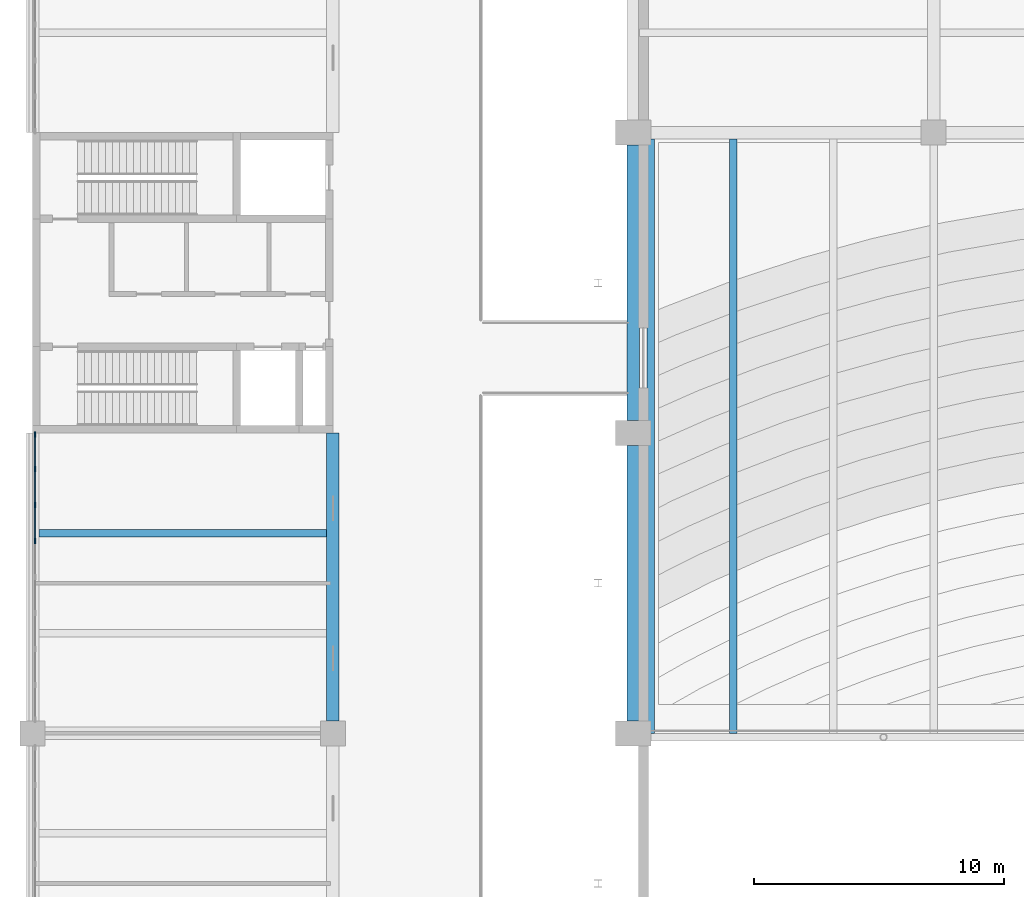
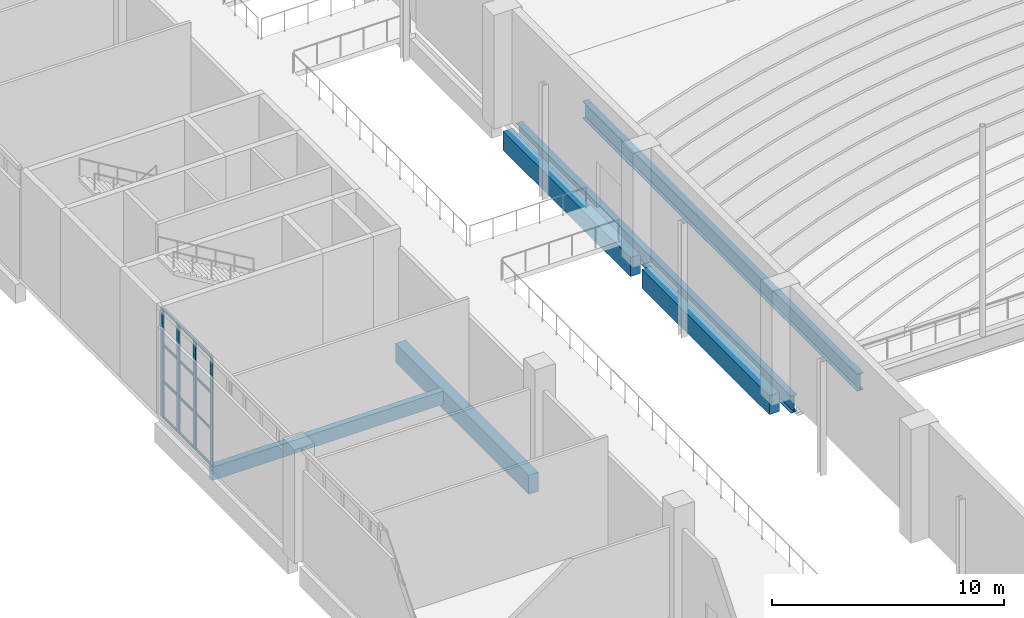
# One storey, part 20 of 72: 16 members, 6 beams, 1 element without a shape of its own.
"""IFC4 building model written with IfcOpenShell, lengths in metres."""

from ifc_helpers import new_model, si_unit, direction, frame, origin, origin_2d, place, context, subcontext, project, spatial, rectangle, i_section, extrude, material, layer, layer_set, material_profile, profile_set, type_object, element, aggregate, save


model = new_model("IFC4")

# Units and contexts
model_context = context("Model", 3, precision=1e-05, world=origin(), true_north=direction((0.0, 1.0)))
body_context = subcontext(model_context, "Body", "Model", "MODEL_VIEW")
ifc_project = project(units=[si_unit("LENGTHUNIT", "METRE"), si_unit("AREAUNIT", "SQUARE_METRE"), si_unit("VOLUMEUNIT", "CUBIC_METRE"), si_unit("PLANEANGLEUNIT", "RADIAN"), si_unit("MASSUNIT", "GRAM", prefix="KILO")], contexts=[model_context])

# Site, building, storey
site_placement = place(None, origin())
site = spatial("IfcSite", under=ifc_project, at=site_placement, CompositionType="ELEMENT")
building_placement = place(site_placement, origin())
building = spatial("IfcBuilding", under=site, at=building_placement, Name="Lilac Gate Convention Centre", CompositionType="ELEMENT")
storey_placement = place(building_placement, frame((0.0, 0.0, 6.0)))
storey = spatial("IfcBuildingStorey", under=building, at=storey_placement, Name="L01", CompositionType="ELEMENT", Elevation=6.0)

# Beams
ifc_material_1 = material(Name="Steel Q355B", Category="steel")
ifc_material_profile_1 = material_profile(ifc_material_1, i_section(OverallWidth=0.300048828125, OverallDepth=0.89990234375, WebThickness=0.01611328125, FlangeThickness=0.028076171875, FilletRadius=0.01806640625, at=origin_2d()), Name="HN900x300x16x28")
ifc_profile_set_1 = profile_set([ifc_material_profile_1], Name="Steel Q355B")
beam_type_1 = type_object("IfcBeamType", Name="Balcony beam HN900x300x16x28", PredefinedType="BEAM", material=ifc_profile_set_1)
for number, where, z_axis, x_axis, name in (
    (1, (30.699951171875, 138.0, -0.699951171875), (0.0, 1.0, 0.0), (-1.0, 0.0, 0.0), "BB1 L01 balcony beam 1"),
    (2, (34.0, 138.0, -0.699951171875), (0.0, 1.0, 0.0), (-1.0, 0.0, 0.0), "BB1 L01 balcony beam 2"),
):
    element("IfcBeam", number, at=place(storey_placement, frame(where, z_axis=z_axis, x_axis=x_axis)), inside=storey, type_object=beam_type_1, Name=name, PredefinedType="BEAM", context=body_context, shape_type="SweptSolid", body=[
        extrude(i_section(OverallWidth=0.300048828125, OverallDepth=0.89990234375, WebThickness=0.01611328125, FlangeThickness=0.028076171875, FilletRadius=0.01806640625, at=origin_2d()), origin(), (0.0, 0.0, 1.0), 23.75),
    ])

# Curtain wall, members
ifc_material_2 = material(Name="Aluminium framed double glazing", Category="aluminium")
ifc_layer = layer(ifc_material_2, 0.199951171875)
ifc_layer_set = layer_set([ifc_layer], Name="Aluminium framed double glazing")
curtain_wall_type = type_object("IfcCurtainWallType", Name="Unitised curtain wall 1500", PredefinedType="NOTDEFINED", material=ifc_layer_set)
curtain_wall_placement = place(storey_placement, origin())
curtain_wall = element("IfcCurtainWall", 3, at=curtain_wall_placement, inside=storey, type_object=curtain_wall_type, Name="Curtain wall PW L01 5", PredefinedType="NOTDEFINED")
ifc_material_3 = material(Name="Aluminium alloy 6063", Category="aluminium")
ifc_material_profile_2 = material_profile(ifc_material_3, rectangle(XDim=0.06005859375, YDim=0.219970703125, at=origin_2d()), Name="Curtain wall mullion 60 x 220")
ifc_profile_set_2 = profile_set([ifc_material_profile_2], Name="Aluminium alloy 6063")
member_type_1 = type_object("IfcMemberType", Name="Curtain wall mullion 60 x 220", PredefinedType="MULLION", material=ifc_profile_set_2)
member_1_placement = place(storey_placement, frame((6.10009765625, 149.93994140625, 0.0), z_axis=(0.0, 0.0, 1.0), x_axis=(1.0, 0.0, 0.0)))
member_1 = element("IfcMember", 4, at=member_1_placement, type_object=member_type_1, Name="CW mullion 1", PredefinedType="MULLION", context=body_context, shape_type="SweptSolid", body=[
    extrude(rectangle(XDim=0.06005859375, YDim=0.219970703125, at=origin_2d()), origin(), (0.0, 0.0, 1.0), 5.75),
])
member_2_placement = place(storey_placement, frame((6.10009765625, 148.5625, 0.0), z_axis=(0.0, 0.0, 1.0), x_axis=(1.0, 0.0, 0.0)))
member_2 = element("IfcMember", 5, at=member_2_placement, type_object=member_type_1, Name="CW mullion 2", PredefinedType="MULLION", context=body_context, shape_type="SweptSolid", body=[
    extrude(rectangle(XDim=0.06005859375, YDim=0.219970703125, at=origin_2d()), origin(), (0.0, 0.0, 1.0), 5.75),
])
member_3_placement = place(storey_placement, frame((6.10009765625, 147.125, 0.0), z_axis=(0.0, 0.0, 1.0), x_axis=(1.0, 0.0, 0.0)))
member_3 = element("IfcMember", 6, at=member_3_placement, type_object=member_type_1, Name="CW mullion 3", PredefinedType="MULLION", context=body_context, shape_type="SweptSolid", body=[
    extrude(rectangle(XDim=0.06005859375, YDim=0.219970703125, at=origin_2d()), origin(), (0.0, 0.0, 1.0), 5.75),
])
member_4_placement = place(storey_placement, frame((6.10009765625, 145.6875, 0.0), z_axis=(0.0, 0.0, 1.0), x_axis=(1.0, 0.0, 0.0)))
member_4 = element("IfcMember", 7, at=member_4_placement, type_object=member_type_1, Name="CW mullion 4", PredefinedType="MULLION", context=body_context, shape_type="SweptSolid", body=[
    extrude(rectangle(XDim=0.06005859375, YDim=0.219970703125, at=origin_2d()), origin(), (0.0, 0.0, 1.0), 5.75),
])
ifc_material_profile_3 = material_profile(ifc_material_3, rectangle(XDim=0.06005859375, YDim=0.1201171875, at=origin_2d()), Name="Curtain wall transom 60 x 120")
ifc_profile_set_3 = profile_set([ifc_material_profile_3], Name="Aluminium alloy 6063")
member_type_2 = type_object("IfcMemberType", Name="Curtain wall transom 60 x 120", PredefinedType="USERDEFINED", material=ifc_profile_set_3)
member_5_placement = place(storey_placement, frame((6.10009765625, 149.93994140625, 0.030029296875), z_axis=(0.0, -1.0, 0.0), x_axis=(1.0, 0.0, 0.0)))
member_5 = element("IfcMember", 8, at=member_5_placement, type_object=member_type_2, Name="CW transom 1.1", ObjectType="TRANSOM", PredefinedType="USERDEFINED", context=body_context, shape_type="SweptSolid", body=[
    extrude(rectangle(XDim=0.06005859375, YDim=0.1201171875, at=origin_2d()), origin(), (0.0, 0.0, 1.0), 1.347412109375),
])
member_6_placement = place(storey_placement, frame((6.10009765625, 149.93994140625, 1.916748046875), z_axis=(0.0, -1.0, 0.0), x_axis=(1.0, 0.0, 0.0)))
member_6 = element("IfcMember", 9, at=member_6_placement, type_object=member_type_2, Name="CW transom 1.2", ObjectType="TRANSOM", PredefinedType="USERDEFINED", context=body_context, shape_type="SweptSolid", body=[
    extrude(rectangle(XDim=0.06005859375, YDim=0.1201171875, at=origin_2d()), origin(), (0.0, 0.0, 1.0), 1.347412109375),
])
member_7_placement = place(storey_placement, frame((6.10009765625, 149.93994140625, 3.833251953125), z_axis=(0.0, -1.0, 0.0), x_axis=(1.0, 0.0, 0.0)))
member_7 = element("IfcMember", 10, at=member_7_placement, type_object=member_type_2, Name="CW transom 1.3", ObjectType="TRANSOM", PredefinedType="USERDEFINED", context=body_context, shape_type="SweptSolid", body=[
    extrude(rectangle(XDim=0.06005859375, YDim=0.1201171875, at=origin_2d()), origin(), (0.0, 0.0, 1.0), 1.347412109375),
])
member_8_placement = place(storey_placement, frame((6.10009765625, 149.93994140625, 5.719970703125), z_axis=(0.0, -1.0, 0.0), x_axis=(1.0, 0.0, 0.0)))
member_8 = element("IfcMember", 11, at=member_8_placement, type_object=member_type_2, Name="CW transom 1.4", ObjectType="TRANSOM", PredefinedType="USERDEFINED", context=body_context, shape_type="SweptSolid", body=[
    extrude(rectangle(XDim=0.06005859375, YDim=0.1201171875, at=origin_2d()), origin(), (0.0, 0.0, 1.0), 1.347412109375),
])
member_9_placement = place(storey_placement, frame((6.10009765625, 148.532470703125, 0.030029296875), z_axis=(0.0, -1.0, 0.0), x_axis=(1.0, 0.0, 0.0)))
member_9 = element("IfcMember", 12, at=member_9_placement, type_object=member_type_2, Name="CW transom 2.1", ObjectType="TRANSOM", PredefinedType="USERDEFINED", context=body_context, shape_type="SweptSolid", body=[
    extrude(rectangle(XDim=0.06005859375, YDim=0.1201171875, at=origin_2d()), origin(), (0.0, 0.0, 1.0), 1.37744140625),
])
member_10_placement = place(storey_placement, frame((6.10009765625, 148.532470703125, 1.916748046875), z_axis=(0.0, -1.0, 0.0), x_axis=(1.0, 0.0, 0.0)))
member_10 = element("IfcMember", 13, at=member_10_placement, type_object=member_type_2, Name="CW transom 2.2", ObjectType="TRANSOM", PredefinedType="USERDEFINED", context=body_context, shape_type="SweptSolid", body=[
    extrude(rectangle(XDim=0.06005859375, YDim=0.1201171875, at=origin_2d()), origin(), (0.0, 0.0, 1.0), 1.37744140625),
])
member_11_placement = place(storey_placement, frame((6.10009765625, 148.532470703125, 3.833251953125), z_axis=(0.0, -1.0, 0.0), x_axis=(1.0, 0.0, 0.0)))
member_11 = element("IfcMember", 14, at=member_11_placement, type_object=member_type_2, Name="CW transom 2.3", ObjectType="TRANSOM", PredefinedType="USERDEFINED", context=body_context, shape_type="SweptSolid", body=[
    extrude(rectangle(XDim=0.06005859375, YDim=0.1201171875, at=origin_2d()), origin(), (0.0, 0.0, 1.0), 1.37744140625),
])
member_12_placement = place(storey_placement, frame((6.10009765625, 148.532470703125, 5.719970703125), z_axis=(0.0, -1.0, 0.0), x_axis=(1.0, 0.0, 0.0)))
member_12 = element("IfcMember", 15, at=member_12_placement, type_object=member_type_2, Name="CW transom 2.4", ObjectType="TRANSOM", PredefinedType="USERDEFINED", context=body_context, shape_type="SweptSolid", body=[
    extrude(rectangle(XDim=0.06005859375, YDim=0.1201171875, at=origin_2d()), origin(), (0.0, 0.0, 1.0), 1.37744140625),
])
member_13_placement = place(storey_placement, frame((6.10009765625, 147.094970703125, 0.030029296875), z_axis=(0.0, -1.0, 0.0), x_axis=(1.0, 0.0, 0.0)))
member_13 = element("IfcMember", 16, at=member_13_placement, type_object=member_type_2, Name="CW transom 3.1", ObjectType="TRANSOM", PredefinedType="USERDEFINED", context=body_context, shape_type="SweptSolid", body=[
    extrude(rectangle(XDim=0.06005859375, YDim=0.1201171875, at=origin_2d()), origin(), (0.0, 0.0, 1.0), 1.37744140625),
])
member_14_placement = place(storey_placement, frame((6.10009765625, 147.094970703125, 1.916748046875), z_axis=(0.0, -1.0, 0.0), x_axis=(1.0, 0.0, 0.0)))
member_14 = element("IfcMember", 17, at=member_14_placement, type_object=member_type_2, Name="CW transom 3.2", ObjectType="TRANSOM", PredefinedType="USERDEFINED", context=body_context, shape_type="SweptSolid", body=[
    extrude(rectangle(XDim=0.06005859375, YDim=0.1201171875, at=origin_2d()), origin(), (0.0, 0.0, 1.0), 1.37744140625),
])
member_15_placement = place(storey_placement, frame((6.10009765625, 147.094970703125, 3.833251953125), z_axis=(0.0, -1.0, 0.0), x_axis=(1.0, 0.0, 0.0)))
member_15 = element("IfcMember", 18, at=member_15_placement, type_object=member_type_2, Name="CW transom 3.3", ObjectType="TRANSOM", PredefinedType="USERDEFINED", context=body_context, shape_type="SweptSolid", body=[
    extrude(rectangle(XDim=0.06005859375, YDim=0.1201171875, at=origin_2d()), origin(), (0.0, 0.0, 1.0), 1.37744140625),
])
member_16_placement = place(storey_placement, frame((6.10009765625, 147.094970703125, 5.719970703125), z_axis=(0.0, -1.0, 0.0), x_axis=(1.0, 0.0, 0.0)))
member_16 = element("IfcMember", 19, at=member_16_placement, type_object=member_type_2, Name="CW transom 3.4", ObjectType="TRANSOM", PredefinedType="USERDEFINED", context=body_context, shape_type="SweptSolid", body=[
    extrude(rectangle(XDim=0.06005859375, YDim=0.1201171875, at=origin_2d()), origin(), (0.0, 0.0, 1.0), 1.37744140625),
])
aggregate(curtain_wall, [member_1, member_2, member_3, member_4, member_5, member_6, member_7, member_8, member_9, member_10, member_11, member_12, member_13, member_14, member_15, member_16])

# Beams
ifc_material_4 = material(Name="Concrete C40", Category="concrete")
ifc_material_profile_4 = material_profile(ifc_material_4, rectangle(XDim=0.5, YDim=1.0, at=origin_2d()), Name="RC 500x1000")
ifc_profile_set_4 = profile_set([ifc_material_profile_4], Name="Concrete C40")
beam_type_2 = type_object("IfcBeamType", Name="Primary beam 500x1000 C40", PredefinedType="BEAM", material=ifc_profile_set_4)
beam_1_placement = place(storey_placement, frame((18.0, 138.5, -0.75), z_axis=(0.0, 1.0, 0.0), x_axis=(-1.0, 0.0, 0.0)))
element("IfcBeam", 20, at=beam_1_placement, inside=storey, type_object=beam_type_2, Name="RB1 L01 2/K-2/L", PredefinedType="BEAM", context=body_context, shape_type="SweptSolid", body=[
    extrude(rectangle(XDim=0.5, YDim=1.0, at=origin_2d()), origin(), (0.0, 0.0, 1.0), 11.5),
])
for number, where, z_axis, x_axis, name in (
    (21, (30.0, 138.5, -0.75), (0.0, 1.0, 0.0), (-1.0, 0.0, 0.0), "RB1 L01 3/K-3/L"),
    (22, (30.0, 150.5, -0.75), (0.0, 1.0, 0.0), (-1.0, 0.0, 0.0), "RB1 L01 3/L-3/M"),
):
    element("IfcBeam", number, at=place(storey_placement, frame(where, z_axis=z_axis, x_axis=x_axis)), inside=storey, type_object=beam_type_2, Name=name, PredefinedType="BEAM", context=body_context, shape_type="SweptSolid", body=[
        extrude(rectangle(XDim=0.5, YDim=1.0, at=origin_2d()), origin(), (0.0, 0.0, 1.0), 11.0),
    ])
ifc_material_profile_5 = material_profile(ifc_material_4, rectangle(XDim=0.300048828125, YDim=0.699951171875, at=origin_2d()), Name="RC 300x700")
ifc_profile_set_5 = profile_set([ifc_material_profile_5], Name="Concrete C40")
beam_type_3 = type_object("IfcBeamType", Name="Secondary beam 300x700 C40", PredefinedType="BEAM", material=ifc_profile_set_5)
beam_2_placement = place(storey_placement, frame((6.25, 146.0, -0.60009765625), z_axis=(1.0, 0.0, 0.0), x_axis=(0.0, 1.0, 0.0)))
element("IfcBeam", 23, at=beam_2_placement, inside=storey, type_object=beam_type_3, Name="RB2 L01 bay 1/K", PredefinedType="BEAM", context=body_context, shape_type="SweptSolid", body=[
    extrude(rectangle(XDim=0.300048828125, YDim=0.699951171875, at=origin_2d()), origin(), (0.0, 0.0, 1.0), 11.5),
])

save(model, "model.ifc")
